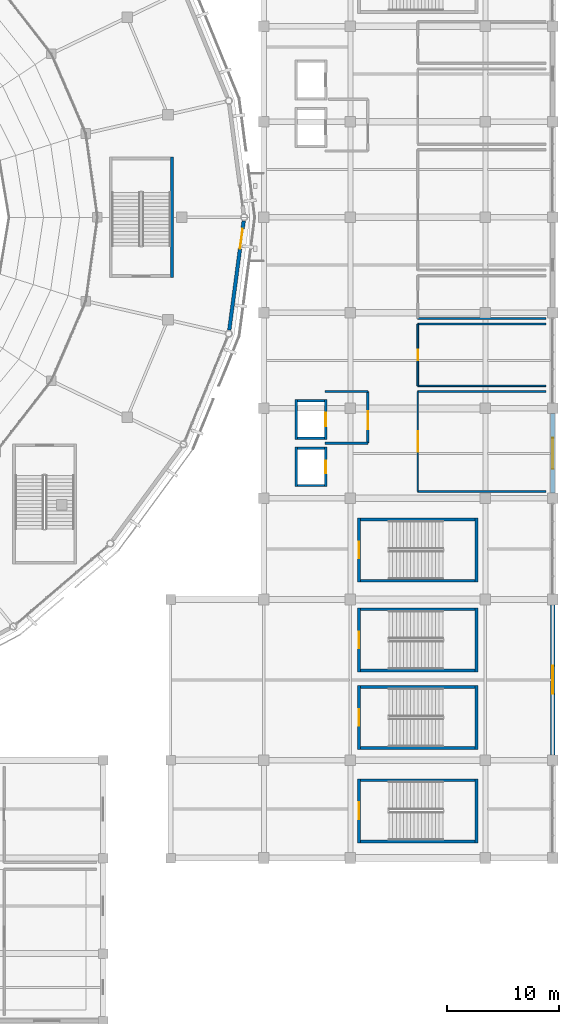
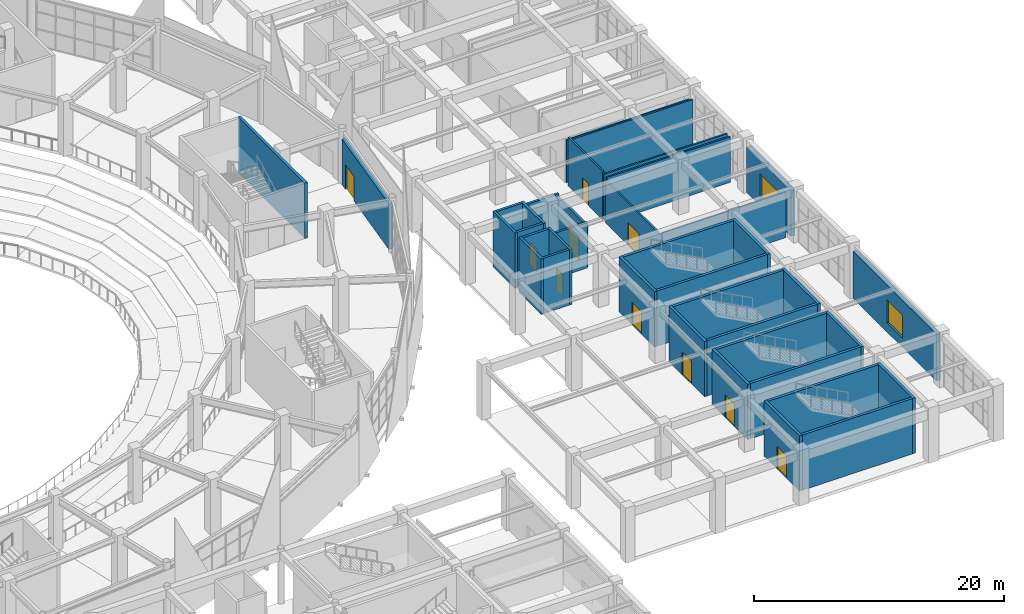
# One storey, part 81 of 120: 38 walls, 10 doors, 2 windows, 12 openings.
"""IFC4 building model written with IfcOpenShell, lengths in metres."""

from ifc_helpers import new_model, si_unit, direction, frame, frame_2d, origin, place, context, subcontext, project, spatial, rectangle, extrude, material, layer, layer_set, type_object, element, fill, save


model = new_model("IFC4")

# Units and contexts
model_context = context("Model", 3, precision=1e-05, world=origin(), true_north=direction((0.0, 1.0)))
body_context = subcontext(model_context, "Body", "Model", "MODEL_VIEW")
ifc_project = project(units=[si_unit("LENGTHUNIT", "METRE"), si_unit("AREAUNIT", "SQUARE_METRE"), si_unit("VOLUMEUNIT", "CUBIC_METRE"), si_unit("PLANEANGLEUNIT", "RADIAN"), si_unit("MASSUNIT", "GRAM", prefix="KILO")], contexts=[model_context])

# Site, building, storey
site_placement = place(None, origin())
site = spatial("IfcSite", under=ifc_project, at=site_placement, CompositionType="ELEMENT")
building_placement = place(site_placement, origin())
building = spatial("IfcBuilding", under=site, at=building_placement, Name="Cuetzalor Civic Arena", CompositionType="ELEMENT")
storey_placement = place(building_placement, frame((0.0, 0.0, 6.0)))
storey = spatial("IfcBuildingStorey", under=building, at=storey_placement, Name="L01", CompositionType="ELEMENT", Elevation=6.0)

# Walls
ifc_material_1 = material(Name="Acoustic steel-stud gypsum partition", Category="steel")
ifc_layer_1 = layer(ifc_material_1, 0.14990234375)
ifc_layer_set_1 = layer_set([ifc_layer_1], Name="Acoustic steel-stud gypsum partition")
wall_type_1 = type_object("IfcWallType", Name="AcousticGypsumPartition_150", PredefinedType="PARTITIONING", material=ifc_layer_set_1)
for number, where, z_axis, x_axis, name in (
    (1, (70.0, -15.5, 0.0), (0.0, 0.0, 1.0), (1.0, 0.0, 0.0), "Interior Partition IWALL:L01:0216"),
    (2, (81.39990234375, -24.39990234375, 0.0), (0.0, 0.0, 1.0), (-1.0, 0.0, 0.0), "Interior Partition IWALL:L01:0217"),
):
    element("IfcWall", number, at=place(storey_placement, frame(where, z_axis=z_axis, x_axis=x_axis)), inside=storey, type_object=wall_type_1, Name=name, PredefinedType="PARTITIONING", context=body_context, shape_type="SweptSolid", body=[
        extrude(rectangle(XDim=11.39990234375, YDim=0.14990234375, at=frame_2d((5.699951171875, 0.0))), origin(), (0.0, 0.0, 1.0), 4.445068359375),
    ])

# Wall, opening, door
wall_1_placement = place(storey_placement, frame((70.0, -24.39990234375, 0.0), z_axis=(0.0, 0.0, 1.0), x_axis=(0.0, 1.0, 0.0)))
wall_1 = element("IfcWall", 3, at=wall_1_placement, inside=storey, type_object=wall_type_1, Name="Interior Partition IWALL:L01:0218", PredefinedType="PARTITIONING", context=body_context, shape_type="SweptSolid", body=[
    extrude(rectangle(XDim=8.89990234375, YDim=0.14990234375, at=frame_2d((4.449951171875, 0.0))), origin(), (0.0, 0.0, 1.0), 4.14501953125),
])
opening_1_placement = place(wall_1_placement, frame((3.550048828125, 0.0, 0.0)))
opening_1 = element("IfcOpeningElement", 4, at=opening_1_placement, cuts=wall_1, Name="Opening ID-06", PredefinedType="OPENING", context=body_context, shape_type="SweptSolid", body=[
    extrude(rectangle(XDim=1.800048828125, YDim=2.199951171875, at=frame_2d((0.89990234375, 1.10009765625))), frame((0.0, 0.0849609375, 0.0), z_axis=(0.0, -1.0, 0.0), x_axis=(1.0, 0.0, 0.0)), (0.0, 0.0, 1.0), 0.169921875),
])
ifc_material_2 = material(Name="Glazed bronze acoustic double door", Category="metal")
door_type_1 = type_object("IfcDoorType", Name="PublicDoubleDoor_1800x2200", OperationType="DOUBLE_DOOR_SINGLE_SWING", PredefinedType="DOOR", material=ifc_material_2)
door_1_placement = place(opening_1_placement, origin())
door_1 = element("IfcDoor", 5, at=door_1_placement, inside=storey, type_object=door_type_1, Name="Door to Concessions Hall East South L01", OperationType="DOUBLE_DOOR_SINGLE_SWING", OverallHeight=2.199951171875, OverallWidth=1.800048828125, PredefinedType="DOOR", context=body_context, shape_type="SweptSolid", body=[
    extrude(rectangle(XDim=1.800048828125, YDim=2.199951171875, at=frame_2d((0.89990234375, 1.10009765625))), frame((0.0, 0.02490234375, 0.0), z_axis=(0.0, -1.0, 0.0), x_axis=(1.0, 0.0, 0.0)), (0.0, 0.0, 1.0), 0.050048828125),
])
fill(opening_1, door_1)

# Walls
for number, where, z_axis, x_axis, name in (
    (6, (70.0, -9.5, 0.0), (0.0, 0.0, 1.0), (1.0, 0.0, 0.0), "Interior Partition IWALL:L01:0219"),
    (7, (81.39990234375, -15.0, 0.0), (0.0, 0.0, 1.0), (-1.0, 0.0, 0.0), "Interior Partition IWALL:L01:0220"),
):
    element("IfcWall", number, at=place(storey_placement, frame(where, z_axis=z_axis, x_axis=x_axis)), inside=storey, type_object=wall_type_1, Name=name, PredefinedType="PARTITIONING", context=body_context, shape_type="SweptSolid", body=[
        extrude(rectangle(XDim=11.39990234375, YDim=0.14990234375, at=frame_2d((5.699951171875, 0.0))), origin(), (0.0, 0.0, 1.0), 4.445068359375),
    ])

# Wall, opening, door
wall_2_placement = place(storey_placement, frame((70.0, -15.0, 0.0), z_axis=(0.0, 0.0, 1.0), x_axis=(0.0, 1.0, 0.0)))
wall_2 = element("IfcWall", 8, at=wall_2_placement, inside=storey, type_object=wall_type_1, Name="Interior Partition IWALL:L01:0221", PredefinedType="PARTITIONING", context=body_context, shape_type="SweptSolid", body=[
    extrude(rectangle(XDim=5.5, YDim=0.14990234375, at=frame_2d((2.75, 0.0))), origin(), (0.0, 0.0, 1.0), 4.739990234375),
])
opening_2_placement = place(wall_2_placement, frame((2.27490234375, 0.0, 0.0)))
opening_2 = element("IfcOpeningElement", 9, at=opening_2_placement, cuts=wall_2, Name="Opening ID-03", PredefinedType="OPENING", context=body_context, shape_type="SweptSolid", body=[
    extrude(rectangle(XDim=0.949951171875, YDim=2.14990234375, at=frame_2d((0.47509765625, 1.074951171875))), frame((0.0, 0.0849609375, 0.0), z_axis=(0.0, -1.0, 0.0), x_axis=(1.0, 0.0, 0.0)), (0.0, 0.0, 1.0), 0.169921875),
])
ifc_material_3 = material(Name="Painted steel frame and solid timber leaf", Category="steel")
door_type_2 = type_object("IfcDoorType", Name="InteriorSingleDoor_950x2150", OperationType="NOTDEFINED", PredefinedType="DOOR", material=ifc_material_3)
door_2_placement = place(opening_2_placement, origin())
door_2 = element("IfcDoor", 10, at=door_2_placement, inside=storey, type_object=door_type_2, Name="Door to Public Restroom East South L01", OperationType="SINGLE_SWING_RIGHT", OverallHeight=2.14990234375, OverallWidth=0.949951171875, PredefinedType="DOOR", context=body_context, shape_type="SweptSolid", body=[
    extrude(rectangle(XDim=0.949951171875, YDim=2.14990234375, at=frame_2d((0.47509765625, 1.074951171875))), frame((0.0, 0.02490234375, 0.0), z_axis=(0.0, -1.0, 0.0), x_axis=(1.0, 0.0, 0.0)), (0.0, 0.0, 1.0), 0.050048828125),
])
fill(opening_2, door_2)

# Walls
wall_3_placement = place(storey_placement, frame((81.39990234375, -9.0, 0.0), z_axis=(0.0, 0.0, 1.0), x_axis=(-1.0, 0.0, 0.0)))
element("IfcWall", 11, at=wall_3_placement, inside=storey, type_object=wall_type_1, Name="Interior Partition IWALL:L01:0223", PredefinedType="PARTITIONING", context=body_context, shape_type="SweptSolid", body=[
    extrude(rectangle(XDim=11.39990234375, YDim=0.14990234375, at=frame_2d((5.699951171875, 0.0))), origin(), (0.0, 0.0, 1.0), 4.14501953125),
])
ifc_material_4 = material(Name="Concrete C40/50", Category="concrete")
ifc_layer_2 = layer(ifc_material_4, 0.25)
ifc_layer_set_2 = layer_set([ifc_layer_2], Name="Concrete C40/50")
wall_type_2 = type_object("IfcWallType", Name="ConcreteCoreShearWall_250", PredefinedType="SHEAR", material=ifc_layer_set_2)
wall_4_placement = place(storey_placement, frame((48.125, 5.35009765625, 0.0), z_axis=(0.0, 0.0, 1.0), x_axis=(0.0, -1.0, 0.0)))
element("IfcWall", 12, at=wall_4_placement, inside=storey, type_object=wall_type_2, Name="Stair Core Shear Wall ST-01-L01-E", PredefinedType="SHEAR", context=body_context, shape_type="SweptSolid", body=[
    extrude(rectangle(XDim=10.7001953125, YDim=0.25, at=frame_2d((5.35009765625, 0.0))), origin(), (0.0, 0.0, 1.0), 5.39990234375),
])

# Wall, opening, door
wall_5_placement = place(storey_placement, frame((64.77490234375, -55.64990234375, 0.0), z_axis=(0.0, 0.0, 1.0), x_axis=(0.0, 1.0, 0.0)))
wall_5 = element("IfcWall", 13, at=wall_5_placement, inside=storey, type_object=wall_type_2, Name="Stair Core Shear Wall ST-18-L01-W", PredefinedType="SHEAR", context=body_context, shape_type="SweptSolid", body=[
    extrude(rectangle(XDim=5.699951171875, YDim=0.25, at=frame_2d((2.85009765625, 0.0))), origin(), (0.0, 0.0, 1.0), 5.39990234375),
])
opening_3_placement = place(wall_5_placement, frame((2.10009765625, 0.0, 0.0)))
opening_3 = element("IfcOpeningElement", 14, at=opening_3_placement, cuts=wall_5, Name="Opening FD-03", PredefinedType="OPENING", context=body_context, shape_type="SweptSolid", body=[
    extrude(rectangle(XDim=1.5, YDim=2.199951171875, at=frame_2d((0.75, 1.10009765625))), frame((0.0, 0.135009765625, 0.0), z_axis=(0.0, -1.0, 0.0), x_axis=(1.0, 0.0, 0.0)), (0.0, 0.0, 1.0), 0.27001953125),
])
ifc_material_5 = material(Name="Fire-rated steel stair exit double door", Category="steel")
door_type_3 = type_object("IfcDoorType", Name="StairFireDoubleDoor_1500x2200", OperationType="DOUBLE_DOOR_SINGLE_SWING", PredefinedType="DOOR", material=ifc_material_5)
door_3_placement = place(opening_3_placement, origin())
door_3 = element("IfcDoor", 15, at=door_3_placement, inside=storey, type_object=door_type_3, Name="Fire Stair Door ST-18 L01", OperationType="DOUBLE_DOOR_SINGLE_SWING", OverallHeight=2.199951171875, OverallWidth=1.5, PredefinedType="DOOR", context=body_context, shape_type="SweptSolid", body=[
    extrude(rectangle(XDim=1.5, YDim=2.199951171875, at=frame_2d((0.75, 1.10009765625))), frame((0.0, 0.02490234375, 0.0), z_axis=(0.0, -1.0, 0.0), x_axis=(1.0, 0.0, 0.0)), (0.0, 0.0, 1.0), 0.050048828125),
])
fill(opening_3, door_3)

# Walls
wall_6_placement = place(storey_placement, frame((64.89990234375, -50.074951171875, 0.0), z_axis=(0.0, 0.0, 1.0), x_axis=(1.0, 0.0, 0.0)))
element("IfcWall", 16, at=wall_6_placement, inside=storey, type_object=wall_type_2, Name="Stair Core Shear Wall ST-18-L01-N", PredefinedType="SHEAR", context=body_context, shape_type="SweptSolid", body=[
    extrude(rectangle(XDim=10.2001953125, YDim=0.25, at=frame_2d((5.10009765625, 0.0))), origin(), (0.0, 0.0, 1.0), 5.39990234375),
])
wall_7_placement = place(storey_placement, frame((75.22509765625, -49.949951171875, 0.0), z_axis=(0.0, 0.0, 1.0), x_axis=(0.0, -1.0, 0.0)))
element("IfcWall", 17, at=wall_7_placement, inside=storey, type_object=wall_type_2, Name="Stair Core Shear Wall ST-18-L01-E", PredefinedType="SHEAR", context=body_context, shape_type="SweptSolid", body=[
    extrude(rectangle(XDim=5.699951171875, YDim=0.25, at=frame_2d((2.85009765625, 0.0))), origin(), (0.0, 0.0, 1.0), 5.39990234375),
])
wall_8_placement = place(storey_placement, frame((75.10009765625, -55.52490234375, 0.0), z_axis=(0.0, 0.0, 1.0), x_axis=(-1.0, 0.0, 0.0)))
element("IfcWall", 18, at=wall_8_placement, inside=storey, type_object=wall_type_2, Name="Stair Core Shear Wall ST-18-L01-S", PredefinedType="SHEAR", context=body_context, shape_type="SweptSolid", body=[
    extrude(rectangle(XDim=10.2001953125, YDim=0.25, at=frame_2d((5.10009765625, 0.0))), origin(), (0.0, 0.0, 1.0), 5.39990234375),
])

# Wall, opening, door
wall_9_placement = place(storey_placement, frame((64.77490234375, -47.35009765625, 0.0), z_axis=(0.0, 0.0, 1.0), x_axis=(0.0, 1.0, 0.0)))
wall_9 = element("IfcWall", 19, at=wall_9_placement, inside=storey, type_object=wall_type_2, Name="Stair Core Shear Wall ST-19-L01-W", PredefinedType="SHEAR", context=body_context, shape_type="SweptSolid", body=[
    extrude(rectangle(XDim=5.7001953125, YDim=0.25, at=frame_2d((2.85009765625, 0.0))), origin(), (0.0, 0.0, 1.0), 5.39990234375),
])
opening_4_placement = place(wall_9_placement, frame((2.10009765625, 0.0, 0.0)))
opening_4 = element("IfcOpeningElement", 20, at=opening_4_placement, cuts=wall_9, Name="Opening FD-03", PredefinedType="OPENING", context=body_context, shape_type="SweptSolid", body=[
    extrude(rectangle(XDim=1.5, YDim=2.199951171875, at=frame_2d((0.75, 1.10009765625))), frame((0.0, 0.135009765625, 0.0), z_axis=(0.0, -1.0, 0.0), x_axis=(1.0, 0.0, 0.0)), (0.0, 0.0, 1.0), 0.27001953125),
])
door_4_placement = place(opening_4_placement, origin())
door_4 = element("IfcDoor", 21, at=door_4_placement, inside=storey, type_object=door_type_3, Name="Fire Stair Door ST-19 L01", OperationType="DOUBLE_DOOR_SINGLE_SWING", OverallHeight=2.199951171875, OverallWidth=1.5, PredefinedType="DOOR", context=body_context, shape_type="SweptSolid", body=[
    extrude(rectangle(XDim=1.5, YDim=2.199951171875, at=frame_2d((0.75, 1.10009765625))), frame((0.0, 0.02490234375, 0.0), z_axis=(0.0, -1.0, 0.0), x_axis=(1.0, 0.0, 0.0)), (0.0, 0.0, 1.0), 0.050048828125),
])
fill(opening_4, door_4)

# Walls
wall_10_placement = place(storey_placement, frame((64.89990234375, -41.77490234375, 0.0), z_axis=(0.0, 0.0, 1.0), x_axis=(1.0, 0.0, 0.0)))
element("IfcWall", 22, at=wall_10_placement, inside=storey, type_object=wall_type_2, Name="Stair Core Shear Wall ST-19-L01-N", PredefinedType="SHEAR", context=body_context, shape_type="SweptSolid", body=[
    extrude(rectangle(XDim=10.2001953125, YDim=0.25, at=frame_2d((5.10009765625, 0.0))), origin(), (0.0, 0.0, 1.0), 5.39990234375),
])
wall_11_placement = place(storey_placement, frame((75.22509765625, -41.64990234375, 0.0), z_axis=(0.0, 0.0, 1.0), x_axis=(0.0, -1.0, 0.0)))
element("IfcWall", 23, at=wall_11_placement, inside=storey, type_object=wall_type_2, Name="Stair Core Shear Wall ST-19-L01-E", PredefinedType="SHEAR", context=body_context, shape_type="SweptSolid", body=[
    extrude(rectangle(XDim=5.7001953125, YDim=0.25, at=frame_2d((2.85009765625, 0.0))), origin(), (0.0, 0.0, 1.0), 5.39990234375),
])
wall_12_placement = place(storey_placement, frame((75.10009765625, -47.22509765625, 0.0), z_axis=(0.0, 0.0, 1.0), x_axis=(-1.0, 0.0, 0.0)))
element("IfcWall", 24, at=wall_12_placement, inside=storey, type_object=wall_type_2, Name="Stair Core Shear Wall ST-19-L01-S", PredefinedType="SHEAR", context=body_context, shape_type="SweptSolid", body=[
    extrude(rectangle(XDim=10.2001953125, YDim=0.25, at=frame_2d((5.10009765625, 0.0))), origin(), (0.0, 0.0, 1.0), 5.39990234375),
])

# Wall, opening, door
wall_13_placement = place(storey_placement, frame((64.77490234375, -40.449951171875, 0.0), z_axis=(0.0, 0.0, 1.0), x_axis=(0.0, 1.0, 0.0)))
wall_13 = element("IfcWall", 25, at=wall_13_placement, inside=storey, type_object=wall_type_2, Name="Stair Core Shear Wall ST-20-L01-W", PredefinedType="SHEAR", context=body_context, shape_type="SweptSolid", body=[
    extrude(rectangle(XDim=5.699951171875, YDim=0.25, at=frame_2d((2.85009765625, 0.0))), origin(), (0.0, 0.0, 1.0), 5.39990234375),
])
opening_5_placement = place(wall_13_placement, frame((2.10009765625, 0.0, 0.0)))
opening_5 = element("IfcOpeningElement", 26, at=opening_5_placement, cuts=wall_13, Name="Opening FD-03", PredefinedType="OPENING", context=body_context, shape_type="SweptSolid", body=[
    extrude(rectangle(XDim=1.5, YDim=2.199951171875, at=frame_2d((0.75, 1.10009765625))), frame((0.0, 0.135009765625, 0.0), z_axis=(0.0, -1.0, 0.0), x_axis=(1.0, 0.0, 0.0)), (0.0, 0.0, 1.0), 0.27001953125),
])
door_5_placement = place(opening_5_placement, origin())
door_5 = element("IfcDoor", 27, at=door_5_placement, inside=storey, type_object=door_type_3, Name="Fire Stair Door ST-20 L01", OperationType="DOUBLE_DOOR_SINGLE_SWING", OverallHeight=2.199951171875, OverallWidth=1.5, PredefinedType="DOOR", context=body_context, shape_type="SweptSolid", body=[
    extrude(rectangle(XDim=1.5, YDim=2.199951171875, at=frame_2d((0.75, 1.10009765625))), frame((0.0, 0.02490234375, 0.0), z_axis=(0.0, -1.0, 0.0), x_axis=(1.0, 0.0, 0.0)), (0.0, 0.0, 1.0), 0.050048828125),
])
fill(opening_5, door_5)

# Walls
wall_14_placement = place(storey_placement, frame((64.89990234375, -34.875, 0.0), z_axis=(0.0, 0.0, 1.0), x_axis=(1.0, 0.0, 0.0)))
element("IfcWall", 28, at=wall_14_placement, inside=storey, type_object=wall_type_2, Name="Stair Core Shear Wall ST-20-L01-N", PredefinedType="SHEAR", context=body_context, shape_type="SweptSolid", body=[
    extrude(rectangle(XDim=10.2001953125, YDim=0.25, at=frame_2d((5.10009765625, 0.0))), origin(), (0.0, 0.0, 1.0), 5.39990234375),
])
wall_15_placement = place(storey_placement, frame((75.22509765625, -34.75, 0.0), z_axis=(0.0, 0.0, 1.0), x_axis=(0.0, -1.0, 0.0)))
element("IfcWall", 29, at=wall_15_placement, inside=storey, type_object=wall_type_2, Name="Stair Core Shear Wall ST-20-L01-E", PredefinedType="SHEAR", context=body_context, shape_type="SweptSolid", body=[
    extrude(rectangle(XDim=5.699951171875, YDim=0.25, at=frame_2d((2.85009765625, 0.0))), origin(), (0.0, 0.0, 1.0), 5.39990234375),
])
wall_16_placement = place(storey_placement, frame((75.10009765625, -40.324951171875, 0.0), z_axis=(0.0, 0.0, 1.0), x_axis=(-1.0, 0.0, 0.0)))
element("IfcWall", 30, at=wall_16_placement, inside=storey, type_object=wall_type_2, Name="Stair Core Shear Wall ST-20-L01-S", PredefinedType="SHEAR", context=body_context, shape_type="SweptSolid", body=[
    extrude(rectangle(XDim=10.2001953125, YDim=0.25, at=frame_2d((5.10009765625, 0.0))), origin(), (0.0, 0.0, 1.0), 5.39990234375),
])

# Wall, opening, door
wall_17_placement = place(storey_placement, frame((64.77490234375, -32.449951171875, 0.0), z_axis=(0.0, 0.0, 1.0), x_axis=(0.0, 1.0, 0.0)))
wall_17 = element("IfcWall", 31, at=wall_17_placement, inside=storey, type_object=wall_type_2, Name="Stair Core Shear Wall ST-21-L01-W", PredefinedType="SHEAR", context=body_context, shape_type="SweptSolid", body=[
    extrude(rectangle(XDim=5.699951171875, YDim=0.25, at=frame_2d((2.85009765625, 0.0))), origin(), (0.0, 0.0, 1.0), 5.39990234375),
])
opening_6_placement = place(wall_17_placement, frame((2.10009765625, 0.0, 0.0)))
opening_6 = element("IfcOpeningElement", 32, at=opening_6_placement, cuts=wall_17, Name="Opening FD-03", PredefinedType="OPENING", context=body_context, shape_type="SweptSolid", body=[
    extrude(rectangle(XDim=1.5, YDim=2.199951171875, at=frame_2d((0.75, 1.10009765625))), frame((0.0, 0.135009765625, 0.0), z_axis=(0.0, -1.0, 0.0), x_axis=(1.0, 0.0, 0.0)), (0.0, 0.0, 1.0), 0.27001953125),
])
door_6_placement = place(opening_6_placement, origin())
door_6 = element("IfcDoor", 33, at=door_6_placement, inside=storey, type_object=door_type_3, Name="Fire Stair Door ST-21 L01", OperationType="DOUBLE_DOOR_SINGLE_SWING", OverallHeight=2.199951171875, OverallWidth=1.5, PredefinedType="DOOR", context=body_context, shape_type="SweptSolid", body=[
    extrude(rectangle(XDim=1.5, YDim=2.199951171875, at=frame_2d((0.75, 1.10009765625))), frame((0.0, 0.02490234375, 0.0), z_axis=(0.0, -1.0, 0.0), x_axis=(1.0, 0.0, 0.0)), (0.0, 0.0, 1.0), 0.050048828125),
])
fill(opening_6, door_6)

# Walls
wall_18_placement = place(storey_placement, frame((64.89990234375, -26.875, 0.0), z_axis=(0.0, 0.0, 1.0), x_axis=(1.0, 0.0, 0.0)))
element("IfcWall", 34, at=wall_18_placement, inside=storey, type_object=wall_type_2, Name="Stair Core Shear Wall ST-21-L01-N", PredefinedType="SHEAR", context=body_context, shape_type="SweptSolid", body=[
    extrude(rectangle(XDim=10.2001953125, YDim=0.25, at=frame_2d((5.10009765625, 0.0))), origin(), (0.0, 0.0, 1.0), 5.39990234375),
])
wall_19_placement = place(storey_placement, frame((75.22509765625, -26.75, 0.0), z_axis=(0.0, 0.0, 1.0), x_axis=(0.0, -1.0, 0.0)))
element("IfcWall", 35, at=wall_19_placement, inside=storey, type_object=wall_type_2, Name="Stair Core Shear Wall ST-21-L01-E", PredefinedType="SHEAR", context=body_context, shape_type="SweptSolid", body=[
    extrude(rectangle(XDim=5.699951171875, YDim=0.25, at=frame_2d((2.85009765625, 0.0))), origin(), (0.0, 0.0, 1.0), 5.39990234375),
])
wall_20_placement = place(storey_placement, frame((75.10009765625, -32.324951171875, 0.0), z_axis=(0.0, 0.0, 1.0), x_axis=(-1.0, 0.0, 0.0)))
element("IfcWall", 36, at=wall_20_placement, inside=storey, type_object=wall_type_2, Name="Stair Core Shear Wall ST-21-L01-S", PredefinedType="SHEAR", context=body_context, shape_type="SweptSolid", body=[
    extrude(rectangle(XDim=10.2001953125, YDim=0.25, at=frame_2d((5.10009765625, 0.0))), origin(), (0.0, 0.0, 1.0), 5.39990234375),
])

# Wall, opening, door
ifc_material_6 = material(Name="Fire-rated masonry and gypsum partition", Category="masonry")
ifc_layer_3 = layer(ifc_material_6, 0.199951171875)
ifc_layer_set_3 = layer_set([ifc_layer_3], Name="Fire-rated masonry and gypsum partition")
wall_type_3 = type_object("IfcWallType", Name="FireCompartmentWall_200", PredefinedType="PARTITIONING", material=ifc_layer_set_3)
wall_21_placement = place(storey_placement, frame((65.550048828125, -15.5, 0.0), z_axis=(0.0, 0.0, 1.0), x_axis=(0.0, -1.0, 0.0)))
wall_21 = element("IfcWall", 37, at=wall_21_placement, inside=storey, type_object=wall_type_3, Name="Interior Partition IWALL:L01:0040", PredefinedType="PARTITIONING", context=body_context, shape_type="SweptSolid", body=[
    extrude(rectangle(XDim=4.60009765625, YDim=0.199951171875, at=frame_2d((2.300048828125, 0.0))), origin(), (0.0, 0.0, 1.0), 4.14501953125),
])
opening_7_placement = place(wall_21_placement, frame((1.75, 0.0, 0.0)))
opening_7 = element("IfcOpeningElement", 38, at=opening_7_placement, cuts=wall_21, Name="Opening FD-05", PredefinedType="OPENING", context=body_context, shape_type="SweptSolid", body=[
    extrude(rectangle(XDim=1.60009765625, YDim=2.199951171875, at=frame_2d((0.800048828125, 1.10009765625))), frame((0.0, 0.10986328125, 0.0), z_axis=(0.0, -1.0, 0.0), x_axis=(1.0, 0.0, 0.0)), (0.0, 0.0, 1.0), 0.219970703125),
])
ifc_material_7 = material(Name="Fire-rated smoke-seal lobby double door", Category="steel")
door_type_4 = type_object("IfcDoorType", Name="FireLobbyDoubleDoor_1600x2200", OperationType="DOUBLE_DOOR_SINGLE_SWING", PredefinedType="DOOR", material=ifc_material_7)
door_7_placement = place(opening_7_placement, origin())
door_7 = element("IfcDoor", 39, at=door_7_placement, inside=storey, type_object=door_type_4, Name="Door to Firefighting Lift Lobby LF-03 L01", OperationType="DOUBLE_DOOR_SINGLE_SWING", OverallHeight=2.199951171875, OverallWidth=1.60009765625, PredefinedType="DOOR", context=body_context, shape_type="SweptSolid", body=[
    extrude(rectangle(XDim=1.60009765625, YDim=2.199951171875, at=frame_2d((0.800048828125, 1.10009765625))), frame((0.0, 0.02490234375, 0.0), z_axis=(0.0, -1.0, 0.0), x_axis=(1.0, 0.0, 0.0)), (0.0, 0.0, 1.0), 0.050048828125),
])
fill(opening_7, door_7)

# Walls
for number, where, z_axis, x_axis, name in (
    (40, (61.75, -15.5, 0.0), (0.0, 0.0, 1.0), (1.0, 0.0, 0.0), "Interior Partition IWALL:L01:0041"),
    (41, (65.550048828125, -20.10009765625, 0.0), (0.0, 0.0, 1.0), (-1.0, 0.0, 0.0), "Interior Partition IWALL:L01:0042"),
):
    element("IfcWall", number, at=place(storey_placement, frame(where, z_axis=z_axis, x_axis=x_axis)), inside=storey, type_object=wall_type_3, Name=name, PredefinedType="PARTITIONING", context=body_context, shape_type="SweptSolid", body=[
        extrude(rectangle(XDim=3.800048828125, YDim=0.199951171875, at=frame_2d((1.89990234375, 0.0))), origin(), (0.0, 0.0, 1.0), 4.445068359375),
    ])

# Wall, opening, door
ifc_material_8 = material(Name="Precast concrete C40/50 insulated cladding", Category="concrete")
ifc_layer_4 = layer(ifc_material_8, 0.320068359375)
ifc_layer_set_4 = layer_set([ifc_layer_4], Name="Precast concrete C40/50 insulated cladding")
wall_type_4 = type_object("IfcWallType", Name="InsulatedPrecastWall_320", PredefinedType="SOLIDWALL", material=ifc_layer_set_4)
wall_22_placement = place(storey_placement, frame((54.507568359375, -0.321533203125, 0.0), z_axis=(0.0, 0.0, 1.0), x_axis=(-0.130894016981, -0.991396366908, 0.0)))
wall_22 = element("IfcWall", 42, at=wall_22_placement, inside=storey, type_object=wall_type_4, Name="Drum Acoustic Backing Wall L01-024", PredefinedType="SOLIDWALL", context=body_context, shape_type="SweptSolid", body=[
    extrude(rectangle(XDim=9.799560546875, YDim=0.320068359375, at=frame_2d((4.89990234375, 0.0))), origin(), (0.0, 0.0, 1.0), 4.431884765625),
])
opening_8_placement = place(wall_22_placement, frame((0.699951171875, 0.0, 0.0)))
opening_8 = element("IfcOpeningElement", 43, at=opening_8_placement, cuts=wall_22, Name="Opening ED-09", PredefinedType="OPENING", context=body_context, shape_type="SweptSolid", body=[
    extrude(rectangle(XDim=1.800048828125, YDim=2.39990234375, at=frame_2d((0.89990234375, 1.199951171875))), frame((0.0, 0.169921875, 0.0), z_axis=(0.0, -1.0, 0.0), x_axis=(1.0, 0.0, 0.0)), (0.0, 0.0, 1.0), 0.340087890625),
])
ifc_material_9 = material(Name="Thermally broken bronze steel and laminated glass", Category="steel")
door_type_5 = type_object("IfcDoorType", Name="RoofGardenGlazedDoor_1800x2400", OperationType="DOUBLE_DOOR_SINGLE_SWING", PredefinedType="DOOR", material=ifc_material_9)
door_8_placement = place(opening_8_placement, origin())
door_8 = element("IfcDoor", 44, at=door_8_placement, inside=storey, type_object=door_type_5, Name="Seismic Bridge Circulation Door L01-S28", OperationType="DOUBLE_DOOR_SINGLE_SWING", OverallHeight=2.39990234375, OverallWidth=1.800048828125, PredefinedType="DOOR", context=body_context, shape_type="SweptSolid", body=[
    extrude(rectangle(XDim=1.800048828125, YDim=2.39990234375, at=frame_2d((0.89990234375, 1.199951171875))), frame((0.0, 0.02490234375, 0.0), z_axis=(0.0, -1.0, 0.0), x_axis=(1.0, 0.0, 0.0)), (0.0, 0.0, 1.0), 0.050048828125),
])
fill(opening_8, door_8)

# Walls
ifc_material_10 = material(Name="Concrete C40/50", Category="concrete")
ifc_layer_5 = layer(ifc_material_10, 0.219970703125)
ifc_layer_set_5 = layer_set([ifc_layer_5], Name="Concrete C40/50")
wall_type_5 = type_object("IfcWallType", Name="LiftShaftShearWall_220", PredefinedType="SHEAR", material=ifc_layer_set_5)
wall_23_placement = place(storey_placement, frame((59.18994140625, -19.77001953125, 0.0), z_axis=(0.0, 0.0, 1.0), x_axis=(0.0, 1.0, 0.0)))
element("IfcWall", 45, at=wall_23_placement, inside=storey, type_object=wall_type_5, Name="Lift Shaft Wall LF-03-L01-W", PredefinedType="SHEAR", context=body_context, shape_type="SweptSolid", body=[
    extrude(rectangle(XDim=3.5400390625, YDim=0.219970703125, at=frame_2d((1.77001953125, 0.0))), origin(), (0.0, 0.0, 1.0), 5.39990234375),
])
wall_24_placement = place(storey_placement, frame((59.300048828125, -16.340087890625, 0.0), z_axis=(0.0, 0.0, 1.0), x_axis=(1.0, 0.0, 0.0)))
element("IfcWall", 46, at=wall_24_placement, inside=storey, type_object=wall_type_5, Name="Lift Shaft Wall LF-03-L01-N", PredefinedType="SHEAR", context=body_context, shape_type="SweptSolid", body=[
    extrude(rectangle(XDim=2.39990234375, YDim=0.219970703125, at=frame_2d((1.199951171875, 0.0))), origin(), (0.0, 0.0, 1.0), 5.39990234375),
])

# Wall, opening, door
wall_25_placement = place(storey_placement, frame((61.81005859375, -16.22998046875, 0.0), z_axis=(0.0, 0.0, 1.0), x_axis=(0.0, -1.0, 0.0)))
wall_25 = element("IfcWall", 47, at=wall_25_placement, inside=storey, type_object=wall_type_5, Name="Lift Shaft Wall LF-03-L01-E", PredefinedType="SHEAR", context=body_context, shape_type="SweptSolid", body=[
    extrude(rectangle(XDim=3.5400390625, YDim=0.219970703125, at=frame_2d((1.77001953125, 0.0))), origin(), (0.0, 0.0, 1.0), 5.39990234375),
])
opening_9_placement = place(wall_25_placement, frame((1.169921875, 0.0, 0.0)))
opening_9 = element("IfcOpeningElement", 48, at=opening_9_placement, cuts=wall_25, Name="Opening LD-02", PredefinedType="OPENING", context=body_context, shape_type="SweptSolid", body=[
    extrude(rectangle(XDim=1.199951171875, YDim=2.199951171875, at=frame_2d((0.60009765625, 1.10009765625))), frame((0.0, 0.1201171875, 0.0), z_axis=(0.0, -1.0, 0.0), x_axis=(1.0, 0.0, 0.0)), (0.0, 0.0, 1.0), 0.239990234375),
])
ifc_material_11 = material(Name="Fire-rated stainless steel sliding lift landing door", Category="steel")
door_type_6 = type_object("IfcDoorType", Name="LiftLandingSlidingDoor_1200x2200", OperationType="SLIDING_TO_LEFT", PredefinedType="DOOR", material=ifc_material_11)
door_9_placement = place(opening_9_placement, origin())
door_9 = element("IfcDoor", 49, at=door_9_placement, inside=storey, type_object=door_type_6, Name="Lift Landing Sliding Door LF-03 L01", OperationType="SLIDING_TO_LEFT", OverallHeight=2.199951171875, OverallWidth=1.199951171875, PredefinedType="DOOR", context=body_context, shape_type="SweptSolid", body=[
    extrude(rectangle(XDim=1.199951171875, YDim=2.199951171875, at=frame_2d((0.60009765625, 1.10009765625))), frame((0.0, 0.02490234375, 0.0), z_axis=(0.0, -1.0, 0.0), x_axis=(1.0, 0.0, 0.0)), (0.0, 0.0, 1.0), 0.050048828125),
])
fill(opening_9, door_9)

# Walls
wall_26_placement = place(storey_placement, frame((61.699951171875, -19.659912109375, 0.0), z_axis=(0.0, 0.0, 1.0), x_axis=(-1.0, 0.0, 0.0)))
element("IfcWall", 50, at=wall_26_placement, inside=storey, type_object=wall_type_5, Name="Lift Shaft Wall LF-03-L01-S", PredefinedType="SHEAR", context=body_context, shape_type="SweptSolid", body=[
    extrude(rectangle(XDim=2.39990234375, YDim=0.219970703125, at=frame_2d((1.199951171875, 0.0))), origin(), (0.0, 0.0, 1.0), 5.39990234375),
])
wall_27_placement = place(storey_placement, frame((59.18994140625, -23.969970703125, 0.0), z_axis=(0.0, 0.0, 1.0), x_axis=(0.0, 1.0, 0.0)))
element("IfcWall", 51, at=wall_27_placement, inside=storey, type_object=wall_type_5, Name="Lift Shaft Wall LP-05-L01-W", PredefinedType="SHEAR", context=body_context, shape_type="SweptSolid", body=[
    extrude(rectangle(XDim=3.5400390625, YDim=0.219970703125, at=frame_2d((1.77001953125, 0.0))), origin(), (0.0, 0.0, 1.0), 5.39990234375),
])
wall_28_placement = place(storey_placement, frame((59.300048828125, -20.5400390625, 0.0), z_axis=(0.0, 0.0, 1.0), x_axis=(1.0, 0.0, 0.0)))
element("IfcWall", 52, at=wall_28_placement, inside=storey, type_object=wall_type_5, Name="Lift Shaft Wall LP-05-L01-N", PredefinedType="SHEAR", context=body_context, shape_type="SweptSolid", body=[
    extrude(rectangle(XDim=2.39990234375, YDim=0.219970703125, at=frame_2d((1.199951171875, 0.0))), origin(), (0.0, 0.0, 1.0), 5.39990234375),
])

# Wall, opening, door
wall_29_placement = place(storey_placement, frame((61.81005859375, -20.429931640625, 0.0), z_axis=(0.0, 0.0, 1.0), x_axis=(0.0, -1.0, 0.0)))
wall_29 = element("IfcWall", 53, at=wall_29_placement, inside=storey, type_object=wall_type_5, Name="Lift Shaft Wall LP-05-L01-E", PredefinedType="SHEAR", context=body_context, shape_type="SweptSolid", body=[
    extrude(rectangle(XDim=3.5400390625, YDim=0.219970703125, at=frame_2d((1.77001953125, 0.0))), origin(), (0.0, 0.0, 1.0), 5.39990234375),
])
opening_10_placement = place(wall_29_placement, frame((1.219970703125, 0.0, 0.0)))
opening_10 = element("IfcOpeningElement", 54, at=opening_10_placement, cuts=wall_29, Name="Opening LD-01", PredefinedType="OPENING", context=body_context, shape_type="SweptSolid", body=[
    extrude(rectangle(XDim=1.10009765625, YDim=2.199951171875, at=frame_2d((0.550048828125, 1.10009765625))), frame((0.0, 0.1201171875, 0.0), z_axis=(0.0, -1.0, 0.0), x_axis=(1.0, 0.0, 0.0)), (0.0, 0.0, 1.0), 0.239990234375),
])
ifc_material_12 = material(Name="Brushed stainless steel sliding lift landing door", Category="steel")
door_type_7 = type_object("IfcDoorType", Name="LiftLandingSlidingDoor_1100x2200", OperationType="SLIDING_TO_LEFT", PredefinedType="DOOR", material=ifc_material_12)
door_10_placement = place(opening_10_placement, origin())
door_10 = element("IfcDoor", 55, at=door_10_placement, inside=storey, type_object=door_type_7, Name="Lift Landing Sliding Door LP-05 L01", OperationType="SLIDING_TO_LEFT", OverallHeight=2.199951171875, OverallWidth=1.10009765625, PredefinedType="DOOR", context=body_context, shape_type="SweptSolid", body=[
    extrude(rectangle(XDim=1.10009765625, YDim=2.199951171875, at=frame_2d((0.550048828125, 1.10009765625))), frame((0.0, 0.02490234375, 0.0), z_axis=(0.0, -1.0, 0.0), x_axis=(1.0, 0.0, 0.0)), (0.0, 0.0, 1.0), 0.050048828125),
])
fill(opening_10, door_10)

# Wall
wall_30_placement = place(storey_placement, frame((61.699951171875, -23.860107421875, 0.0), z_axis=(0.0, 0.0, 1.0), x_axis=(-1.0, 0.0, 0.0)))
element("IfcWall", 56, at=wall_30_placement, inside=storey, type_object=wall_type_5, Name="Lift Shaft Wall LP-05-L01-S", PredefinedType="SHEAR", context=body_context, shape_type="SweptSolid", body=[
    extrude(rectangle(XDim=2.39990234375, YDim=0.219970703125, at=frame_2d((1.199951171875, 0.0))), origin(), (0.0, 0.0, 1.0), 5.39990234375),
])

# Wall, opening, window
ifc_material_13 = material(Name="Polychrome Talavera ceramic on Concrete C35/45", Category="concrete")
ifc_layer_6 = layer(ifc_material_13, 0.3798828125)
ifc_layer_set_6 = layer_set([ifc_layer_6], Name="Polychrome Talavera ceramic on Concrete C35/45")
wall_type_6 = type_object("IfcWallType", Name="TalaveraSpandrelWall_380", PredefinedType="SOLIDWALL", material=ifc_layer_set_6)
wall_31_placement = place(storey_placement, frame((82.0, -34.45703125, 0.0), z_axis=(0.0, 0.0, 1.0), x_axis=(0.0, -1.0, 0.0)))
wall_31 = element("IfcWall", 57, at=wall_31_placement, inside=storey, type_object=wall_type_6, Name="V4E Outer Talavera Wall L01-159", PredefinedType="SOLIDWALL", context=body_context, shape_type="SweptSolid", body=[
    extrude(rectangle(XDim=13.385986328125, YDim=0.3798828125, at=frame_2d((6.69287109375, 0.0))), origin(), (0.0, 0.0, 1.0), 4.576904296875),
])
opening_11_placement = place(wall_31_placement, frame((5.443115234375, 0.0, 0.89990234375)))
opening_11 = element("IfcOpeningElement", 58, at=opening_11_placement, cuts=wall_31, Name="Opening WN-44", PredefinedType="OPENING", context=body_context, shape_type="SweptSolid", body=[
    extrude(rectangle(XDim=2.5, YDim=2.25, at=frame_2d((1.25, 1.125))), frame((0.0, 0.199951171875, 0.0), z_axis=(0.0, -1.0, 0.0), x_axis=(1.0, 0.0, 0.0)), (0.0, 0.0, 1.0), 0.39990234375),
])
ifc_material_14 = material(Name="Anodised bronze aluminium and low-E solar glass", Category="aluminium")
window_type_1 = type_object("IfcWindowType", Name="BronzeThermalWindow_2500x2250", PartitioningType="DOUBLE_PANEL_VERTICAL", PredefinedType="WINDOW", material=ifc_material_14)
window_1_placement = place(opening_11_placement, origin())
window_1 = element("IfcWindow", 59, at=window_1_placement, inside=storey, type_object=window_type_1, Name="V4E Facade Window L01-0044", OverallHeight=2.25, OverallWidth=2.5, PartitioningType="SINGLE_PANEL", PredefinedType="WINDOW", context=body_context, shape_type="SweptSolid", body=[
    extrude(rectangle(XDim=2.5, YDim=2.25, at=frame_2d((1.25, 1.125))), frame((0.0, 0.030029296875, 0.0), z_axis=(0.0, -1.0, 0.0), x_axis=(1.0, 0.0, 0.0)), (0.0, 0.0, 1.0), 0.06005859375),
])
fill(opening_11, window_1)

wall_32_placement = place(storey_placement, frame((82.0, -17.45703125, 0.0), z_axis=(0.0, 0.0, 1.0), x_axis=(0.0, -1.0, 0.0)))
wall_32 = element("IfcWall", 60, at=wall_32_placement, inside=storey, type_object=wall_type_6, Name="V4E Outer Talavera Wall L01-160", PredefinedType="SOLIDWALL", context=body_context, shape_type="SweptSolid", body=[
    extrude(rectangle(XDim=7.0859375, YDim=0.3798828125, at=frame_2d((3.54296875, 0.0))), origin(), (0.0, 0.0, 1.0), 4.4599609375),
])
opening_12_placement = place(wall_32_placement, frame((2.16796875, 0.0, 0.89990234375)))
opening_12 = element("IfcOpeningElement", 61, at=opening_12_placement, cuts=wall_32, Name="Opening WN-45", PredefinedType="OPENING", context=body_context, shape_type="SweptSolid", body=[
    extrude(rectangle(XDim=2.75, YDim=2.25, at=frame_2d((1.375, 1.125))), frame((0.0, 0.199951171875, 0.0), z_axis=(0.0, -1.0, 0.0), x_axis=(1.0, 0.0, 0.0)), (0.0, 0.0, 1.0), 0.39990234375),
])
ifc_material_15 = material(Name="Anodised bronze aluminium and low-E solar glass", Category="aluminium")
window_type_2 = type_object("IfcWindowType", Name="BronzeThermalWindow_2750x2250", PartitioningType="DOUBLE_PANEL_VERTICAL", PredefinedType="WINDOW", material=ifc_material_15)
window_2_placement = place(opening_12_placement, origin())
window_2 = element("IfcWindow", 62, at=window_2_placement, inside=storey, type_object=window_type_2, Name="V4E Facade Window L01-0045", OverallHeight=2.25, OverallWidth=2.75, PartitioningType="SINGLE_PANEL", PredefinedType="WINDOW", context=body_context, shape_type="SweptSolid", body=[
    extrude(rectangle(XDim=2.75, YDim=2.25, at=frame_2d((1.375, 1.125))), frame((0.0, 0.030029296875, 0.0), z_axis=(0.0, -1.0, 0.0), x_axis=(1.0, 0.0, 0.0)), (0.0, 0.0, 1.0), 0.06005859375),
])
fill(opening_12, window_2)

save(model, "model.ifc")
